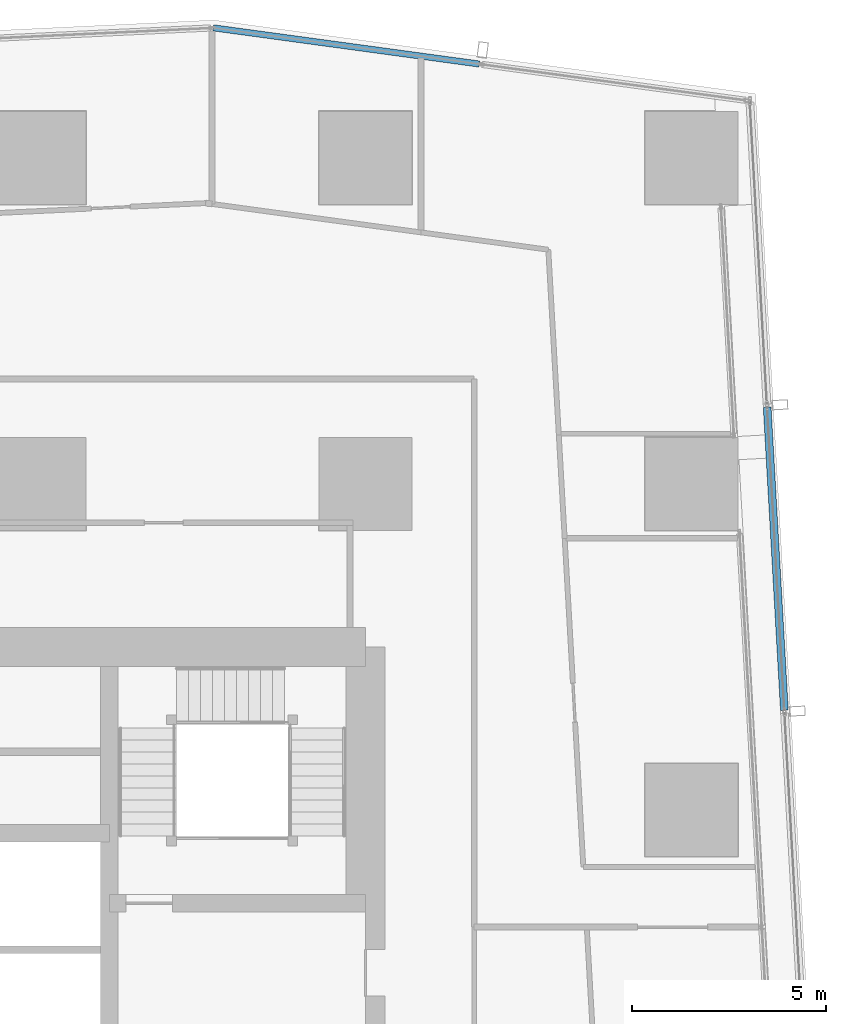
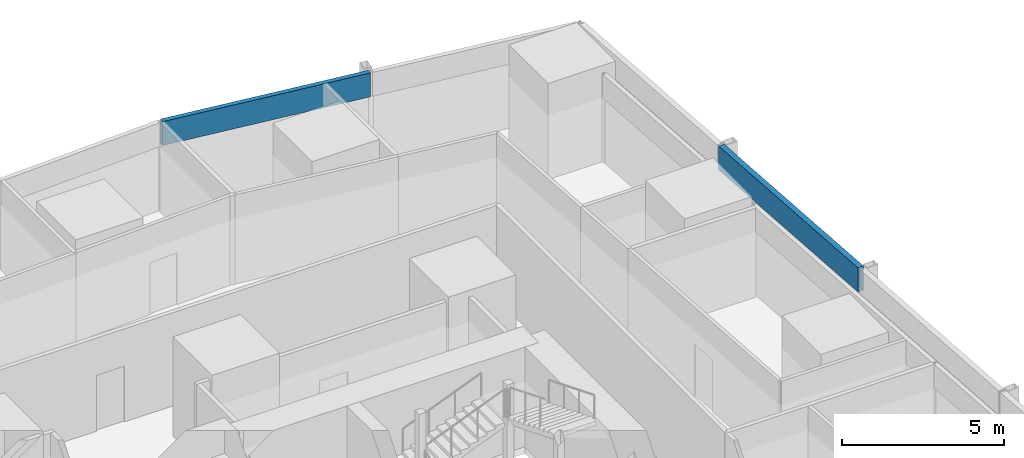
# One storey, part 20 of 37: 2 members, 2 elements without a shape of their own.
"""IFC4 building model written with IfcOpenShell, lengths in metres."""

from ifc_helpers import new_model, si_unit, direction, frame, origin, origin_2d, place, context, subcontext, project, spatial, hollow_rectangle, extrude, material, material_profile, profile_set, type_object, element, aggregate, save


model = new_model("IFC4")

# Units and contexts
model_context = context("Model", 3, precision=1e-05, world=origin(), true_north=direction((0.0, 1.0)))
body_context = subcontext(model_context, "Body", "Model", "MODEL_VIEW")
ifc_project = project(units=[si_unit("LENGTHUNIT", "METRE"), si_unit("AREAUNIT", "SQUARE_METRE"), si_unit("VOLUMEUNIT", "CUBIC_METRE"), si_unit("PLANEANGLEUNIT", "RADIAN"), si_unit("MASSUNIT", "GRAM", prefix="KILO")], contexts=[model_context])

# Site, building, storey
site_placement = place(None, origin())
site = spatial("IfcSite", under=ifc_project, at=site_placement, CompositionType="ELEMENT")
building_placement = place(site_placement, origin())
building = spatial("IfcBuilding", under=site, at=building_placement, Name="Rekha Terrace Tower", CompositionType="ELEMENT")
storey_placement = place(building_placement, frame((0.0, 0.0, 232.699951171875)))
storey = spatial("IfcBuildingStorey", under=building, at=storey_placement, Name="L59", CompositionType="ELEMENT", Elevation=232.699951171875)

# Curtain wall, member
ifc_material_1 = material(Name="Aluminium framing", Category="aluminium")
curtain_wall_type_1 = type_object("IfcCurtainWallType", Name="CW2 double skin outer glazing", PredefinedType="USERDEFINED", material=ifc_material_1)
curtain_wall_1_placement = place(storey_placement, origin())
curtain_wall_1 = element("IfcCurtainWall", 1, at=curtain_wall_1_placement, inside=storey, type_object=curtain_wall_type_1, Name="CW2 double skin outer glazing", ObjectType="DOUBLE SKIN OUTER GLAZING", PredefinedType="USERDEFINED")
ifc_material_2 = material(Name="Insulated aluminium spandrel box", Category="aluminium")
ifc_material_profile_1 = material_profile(ifc_material_2, hollow_rectangle(XDim=0.199951171875, YDim=0.89990234375, WallThickness=0.0029296875, at=origin_2d()), Name="AL SPANDREL BOX 200x900")
ifc_profile_set_1 = profile_set([ifc_material_profile_1], Name="Insulated aluminium spandrel box")
member_type_1 = type_object("IfcMemberType", Name="CW2 spandrel transom 200 x 900", PredefinedType="USERDEFINED", material=ifc_profile_set_1)
member_1_placement = place(storey_placement, frame((61.19140625, 44.567626953125, 3.050048828125), z_axis=(-0.056702299999, 0.998391130357, 0.0), x_axis=(-0.998391130357, -0.056702299999, 0.0)))
member_1 = element("IfcMember", 2, at=member_1_placement, type_object=member_type_1, Name="CW2 spandrel transom 3", ObjectType="TRANSOM", PredefinedType="USERDEFINED", context=body_context, shape_type="SweptSolid", body=[
    extrude(hollow_rectangle(XDim=0.199951171875, YDim=0.89990234375, WallThickness=0.0029296875, at=origin_2d()), origin(), (0.0, 0.0, 1.0), 7.823486328125),
])
aggregate(curtain_wall_1, [member_1])

curtain_wall_type_2 = type_object("IfcCurtainWallType", Name="CW3 north unitised glazing", PredefinedType="USERDEFINED", material=ifc_material_1)
curtain_wall_2_placement = place(storey_placement, origin())
curtain_wall_2 = element("IfcCurtainWall", 3, at=curtain_wall_2_placement, inside=storey, type_object=curtain_wall_type_2, Name="CW3 unitised curtain wall", ObjectType="UNITISED CURTAIN WALL", PredefinedType="USERDEFINED")
ifc_material_profile_2 = material_profile(ifc_material_2, hollow_rectangle(XDim=0.159912109375, YDim=0.89990234375, WallThickness=0.0029296875, at=origin_2d()), Name="AL SPANDREL BOX 160x900")
ifc_profile_set_2 = profile_set([ifc_material_profile_2], Name="Insulated aluminium spandrel box")
member_type_2 = type_object("IfcMemberType", Name="CW3 spandrel transom 160 x 900", PredefinedType="USERDEFINED", material=ifc_profile_set_2)
member_2_placement = place(storey_placement, frame((53.334716796875, 61.21630859375, 3.050048828125), z_axis=(-0.990863635349, 0.134867550367, 0.0), x_axis=(-0.134867550367, -0.990863635349, 0.0)))
member_2 = element("IfcMember", 4, at=member_2_placement, type_object=member_type_2, Name="CW3 spandrel transom 2", ObjectType="TRANSOM", PredefinedType="USERDEFINED", context=body_context, shape_type="SweptSolid", body=[
    extrude(hollow_rectangle(XDim=0.159912109375, YDim=0.89990234375, WallThickness=0.0029296875, at=origin_2d()), origin(), (0.0, 0.0, 1.0), 6.918701171875),
])
aggregate(curtain_wall_2, [member_2])

save(model, "model.ifc")
